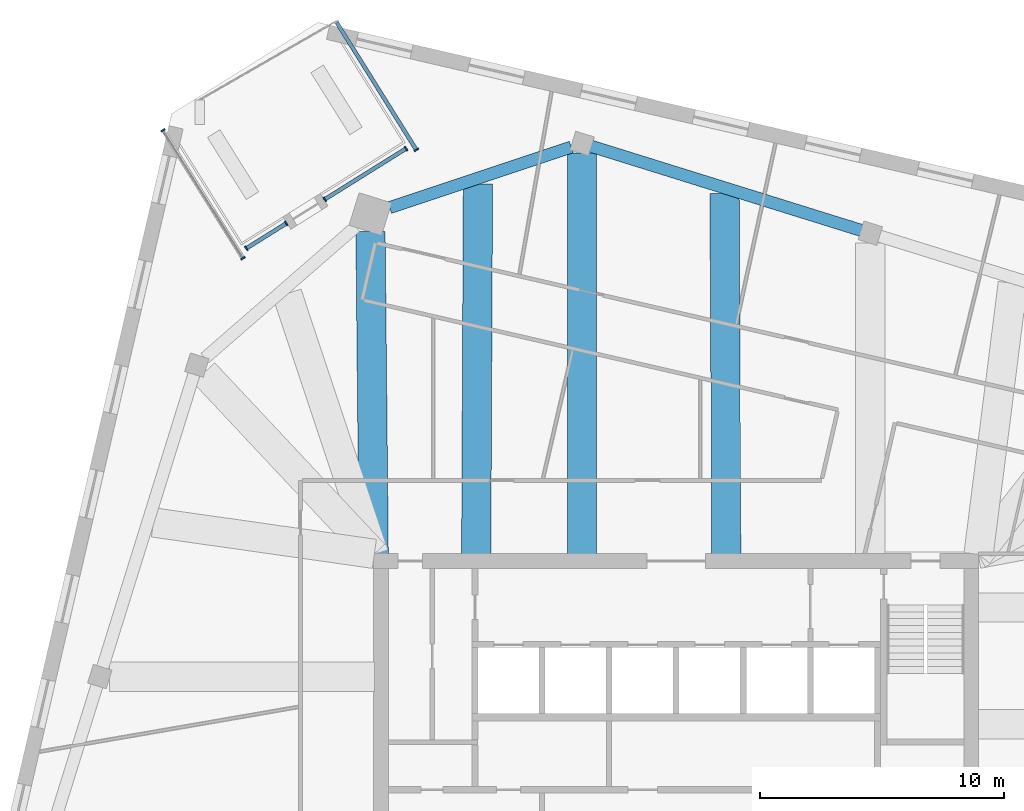
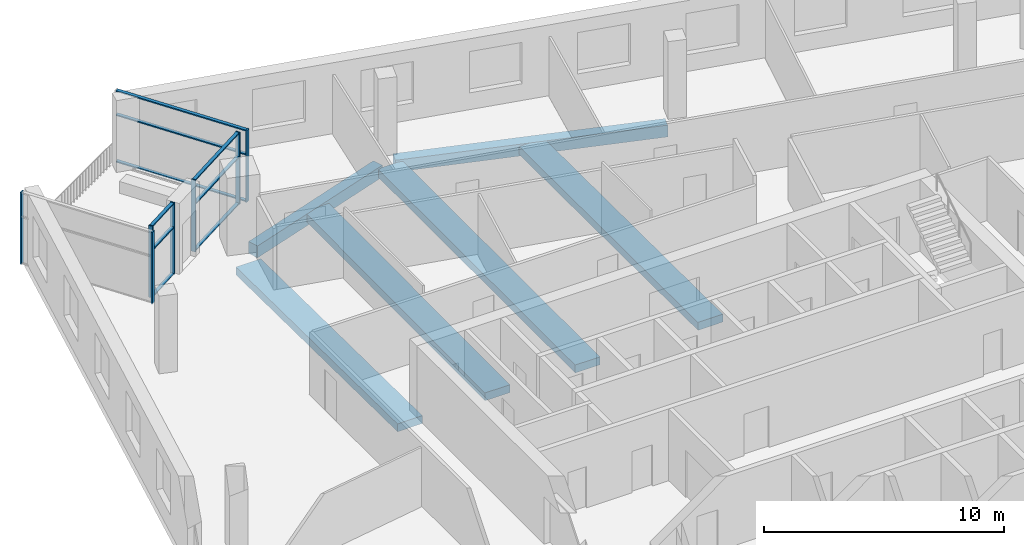
# One storey, part 2 of 14: 16 members, 6 beams, 4 elements without a shape of their own.
"""IFC4 building model written with IfcOpenShell, lengths in metres."""

from ifc_helpers import new_model, si_unit, direction, frame, origin, origin_2d, place, context, subcontext, project, spatial, rectangle, extrude, material, material_profile, profile_set, type_object, element, aggregate, save


model = new_model("IFC4")

# Units and contexts
model_context = context("Model", 3, precision=1e-05, world=origin(), true_north=direction((0.0, 1.0)))
body_context = subcontext(model_context, "Body", "Model", "MODEL_VIEW")
ifc_project = project(units=[si_unit("LENGTHUNIT", "METRE"), si_unit("AREAUNIT", "SQUARE_METRE"), si_unit("VOLUMEUNIT", "CUBIC_METRE"), si_unit("PLANEANGLEUNIT", "RADIAN"), si_unit("MASSUNIT", "GRAM", prefix="KILO")], contexts=[model_context])

# Site, building, storey
site_placement = place(None, origin())
site = spatial("IfcSite", under=ifc_project, at=site_placement, CompositionType="ELEMENT")
building_placement = place(site_placement, origin())
building = spatial("IfcBuilding", under=site, at=building_placement, Name="Dilmun Exchange Tower", CompositionType="ELEMENT")
storey_placement = place(building_placement, frame((0.0, 0.0, 332.5)))
storey = spatial("IfcBuildingStorey", under=building, at=storey_placement, Name="L79", CompositionType="ELEMENT", Elevation=332.5)

# Curtain wall, member
ifc_material_1 = material(Name="Anodised aluminium and clear glass", Category="aluminium")
curtain_wall_type = type_object("IfcCurtainWallType", Name="Garden corner glazing", PredefinedType="NOTDEFINED", material=ifc_material_1)
curtain_wall_1_placement = place(storey_placement, origin())
curtain_wall_1 = element("IfcCurtainWall", 1, at=curtain_wall_1_placement, inside=storey, type_object=curtain_wall_type, Name="Garden corner glazing run GC1.1", PredefinedType="NOTDEFINED")
ifc_material_2 = material(Name="Anodised aluminium", Category="aluminium")
ifc_material_profile_1 = material_profile(ifc_material_2, rectangle(XDim=0.199951171875, YDim=0.06005859375, at=origin_2d()), Name="AL 60x200")
ifc_profile_set_1 = profile_set([ifc_material_profile_1], Name="Anodised aluminium")
member_type_1 = type_object("IfcMemberType", Name="Garden corner glazing mullion 60 x 200", PredefinedType="MULLION", material=ifc_profile_set_1)
member_1_placement = place(storey_placement, frame((-10.65185546875, 28.95458984375, 0.0), z_axis=(0.0, 0.0, 1.0), x_axis=(0.8480495651, 0.529916913426, 0.0)))
member_1 = element("IfcMember", 2, at=member_1_placement, type_object=member_type_1, Name="GC1.1 mullion 2", PredefinedType="MULLION", context=body_context, shape_type="SweptSolid", body=[
    extrude(rectangle(XDim=0.199951171875, YDim=0.06005859375, at=origin_2d()), origin(), (0.0, 0.0, 1.0), 3.64990234375),
])

# Curtain wall, members
curtain_wall_2_placement = place(storey_placement, origin())
curtain_wall_2 = element("IfcCurtainWall", 3, at=curtain_wall_2_placement, inside=storey, type_object=curtain_wall_type, Name="Garden corner glazing run GC2.1", PredefinedType="NOTDEFINED")
member_2_placement = place(storey_placement, frame((-11.07470703125, 29.0087890625, 0.0), z_axis=(0.0, 0.0, 1.0), x_axis=(0.529924577258, -0.848044776187, 0.0)))
member_2 = element("IfcMember", 4, at=member_2_placement, type_object=member_type_1, Name="GC2.1 mullion 1", PredefinedType="MULLION", context=body_context, shape_type="SweptSolid", body=[
    extrude(rectangle(XDim=0.199951171875, YDim=0.06005859375, at=origin_2d()), origin(), (0.0, 0.0, 1.0), 3.64990234375),
])
member_3_placement = place(storey_placement, frame((-14.40673828125, 26.9267578125, 0.0), z_axis=(0.0, 0.0, 1.0), x_axis=(0.529924577258, -0.848044776187, 0.0)))
member_3 = element("IfcMember", 5, at=member_3_placement, type_object=member_type_1, Name="GC2.1 mullion 2", PredefinedType="MULLION", context=body_context, shape_type="SweptSolid", body=[
    extrude(rectangle(XDim=0.199951171875, YDim=0.06005859375, at=origin_2d()), origin(), (0.0, 0.0, 1.0), 3.64990234375),
])

curtain_wall_3_placement = place(storey_placement, origin())
curtain_wall_3 = element("IfcCurtainWall", 6, at=curtain_wall_3_placement, inside=storey, type_object=curtain_wall_type, Name="Garden corner glazing run GC2.3", PredefinedType="NOTDEFINED")
member_4_placement = place(storey_placement, frame((-15.984130859375, 25.94091796875, 0.0), z_axis=(0.0, 0.0, 1.0), x_axis=(0.529885960447, -0.848068905763, 0.0)))
member_4 = element("IfcMember", 7, at=member_4_placement, type_object=member_type_1, Name="GC2.3 mullion 1", PredefinedType="MULLION", context=body_context, shape_type="SweptSolid", body=[
    extrude(rectangle(XDim=0.199951171875, YDim=0.06005859375, at=origin_2d()), origin(), (0.0, 0.0, 1.0), 3.64990234375),
])
member_5_placement = place(storey_placement, frame((-17.6201171875, 24.918701171875, 0.0), z_axis=(0.0, 0.0, 1.0), x_axis=(0.529885960447, -0.848068905763, 0.0)))
member_5 = element("IfcMember", 8, at=member_5_placement, type_object=member_type_1, Name="GC2.3 mullion 2", PredefinedType="MULLION", context=body_context, shape_type="SweptSolid", body=[
    extrude(rectangle(XDim=0.199951171875, YDim=0.06005859375, at=origin_2d()), origin(), (0.0, 0.0, 1.0), 3.64990234375),
])

curtain_wall_4_placement = place(storey_placement, origin())
curtain_wall_4 = element("IfcCurtainWall", 9, at=curtain_wall_4_placement, inside=storey, type_object=curtain_wall_type, Name="Garden corner glazing run GC3.1", PredefinedType="NOTDEFINED")
member_6_placement = place(storey_placement, frame((-17.7568359375, 24.514892578125, 0.0), z_axis=(0.0, 0.0, 1.0), x_axis=(-0.8480495651, -0.529916913426, 0.0)))
member_6 = element("IfcMember", 10, at=member_6_placement, type_object=member_type_1, Name="GC3.1 mullion 1", PredefinedType="MULLION", context=body_context, shape_type="SweptSolid", body=[
    extrude(rectangle(XDim=0.199951171875, YDim=0.06005859375, at=origin_2d()), origin(), (0.0, 0.0, 1.0), 3.64990234375),
])
member_7_placement = place(storey_placement, frame((-21.03515625, 29.761474609375, 0.0), z_axis=(0.0, 0.0, 1.0), x_axis=(-0.8480495651, -0.529916913426, 0.0)))
member_7 = element("IfcMember", 11, at=member_7_placement, type_object=member_type_1, Name="GC3.1 mullion 2", PredefinedType="MULLION", context=body_context, shape_type="SweptSolid", body=[
    extrude(rectangle(XDim=0.199951171875, YDim=0.06005859375, at=origin_2d()), origin(), (0.0, 0.0, 1.0), 3.64990234375),
])
aggregate(curtain_wall_4, [member_6, member_7])

# Member
ifc_material_profile_2 = material_profile(ifc_material_2, rectangle(XDim=0.159912109375, YDim=0.06005859375, at=origin_2d()), Name="AL 60x160")
ifc_profile_set_2 = profile_set([ifc_material_profile_2], Name="Anodised aluminium")
member_type_2 = type_object("IfcMemberType", Name="Garden corner glazing transom 60 x 160", PredefinedType="USERDEFINED", material=ifc_profile_set_2)
member_8_placement = place(storey_placement, frame((-13.914306640625, 34.175537109375, 0.030029296875), z_axis=(0.529923715671, -0.848045314573, 0.0), x_axis=(0.848045314573, 0.529923715671, 0.0)))
member_8 = element("IfcMember", 12, at=member_8_placement, type_object=member_type_2, Name="GC1.1 transom 1.1", ObjectType="TRANSOM", PredefinedType="USERDEFINED", context=body_context, shape_type="SweptSolid", body=[
    extrude(rectangle(XDim=0.159912109375, YDim=0.06005859375, at=origin_2d()), origin(), (0.0, 0.0, 1.0), 6.12646484375),
])

member_9_placement = place(storey_placement, frame((-13.914306640625, 34.175537109375, 2.39990234375), z_axis=(0.529923715671, -0.848045314573, 0.0), x_axis=(0.848045314573, 0.529923715671, 0.0)))
member_9 = element("IfcMember", 13, at=member_9_placement, type_object=member_type_2, Name="GC1.1 transom 1.2", ObjectType="TRANSOM", PredefinedType="USERDEFINED", context=body_context, shape_type="SweptSolid", body=[
    extrude(rectangle(XDim=0.159912109375, YDim=0.06005859375, at=origin_2d()), origin(), (0.0, 0.0, 1.0), 6.12646484375),
])

member_10_placement = place(storey_placement, frame((-13.914306640625, 34.175537109375, 3.6201171875), z_axis=(0.529923715671, -0.848045314573, 0.0), x_axis=(0.848045314573, 0.529923715671, 0.0)))
member_10 = element("IfcMember", 14, at=member_10_placement, type_object=member_type_2, Name="GC1.1 transom 1.3", ObjectType="TRANSOM", PredefinedType="USERDEFINED", context=body_context, shape_type="SweptSolid", body=[
    extrude(rectangle(XDim=0.159912109375, YDim=0.06005859375, at=origin_2d()), origin(), (0.0, 0.0, 1.0), 6.12646484375),
])

aggregate(curtain_wall_1, [member_1, member_8, member_9, member_10])

member_11_placement = place(storey_placement, frame((-11.10009765625, 28.992919921875, 0.030029296875), z_axis=(-0.84805501765, -0.529908187368, 0.0), x_axis=(0.529908187368, -0.84805501765, 0.0)))
member_11 = element("IfcMember", 15, at=member_11_placement, type_object=member_type_2, Name="GC2.1 transom 1.1", ObjectType="TRANSOM", PredefinedType="USERDEFINED", context=body_context, shape_type="SweptSolid", body=[
    extrude(rectangle(XDim=0.159912109375, YDim=0.06005859375, at=origin_2d()), origin(), (0.0, 0.0, 1.0), 3.869140625),
])

member_12_placement = place(storey_placement, frame((-11.10009765625, 28.992919921875, 2.39990234375), z_axis=(-0.84805501765, -0.529908187368, 0.0), x_axis=(0.529908187368, -0.84805501765, 0.0)))
member_12 = element("IfcMember", 16, at=member_12_placement, type_object=member_type_2, Name="GC2.1 transom 1.2", ObjectType="TRANSOM", PredefinedType="USERDEFINED", context=body_context, shape_type="SweptSolid", body=[
    extrude(rectangle(XDim=0.159912109375, YDim=0.06005859375, at=origin_2d()), origin(), (0.0, 0.0, 1.0), 3.869140625),
])

member_13_placement = place(storey_placement, frame((-11.10009765625, 28.992919921875, 3.6201171875), z_axis=(-0.84805501765, -0.529908187368, 0.0), x_axis=(0.529908187368, -0.84805501765, 0.0)))
member_13 = element("IfcMember", 17, at=member_13_placement, type_object=member_type_2, Name="GC2.1 transom 1.3", ObjectType="TRANSOM", PredefinedType="USERDEFINED", context=body_context, shape_type="SweptSolid", body=[
    extrude(rectangle(XDim=0.159912109375, YDim=0.06005859375, at=origin_2d()), origin(), (0.0, 0.0, 1.0), 3.869140625),
])

aggregate(curtain_wall_2, [member_2, member_3, member_11, member_12, member_13])

member_14_placement = place(storey_placement, frame((-16.009521484375, 25.925048828125, 0.030029296875), z_axis=(-0.848123031037, -0.529799324486, 0.0), x_axis=(0.529799324486, -0.848123031037, 0.0)))
member_14 = element("IfcMember", 18, at=member_14_placement, type_object=member_type_2, Name="GC2.3 transom 1.1", ObjectType="TRANSOM", PredefinedType="USERDEFINED", context=body_context, shape_type="SweptSolid", body=[
    extrude(rectangle(XDim=0.159912109375, YDim=0.06005859375, at=origin_2d()), origin(), (0.0, 0.0, 1.0), 1.869140625),
])

member_15_placement = place(storey_placement, frame((-16.009521484375, 25.925048828125, 2.39990234375), z_axis=(-0.848123031037, -0.529799324486, 0.0), x_axis=(0.529799324486, -0.848123031037, 0.0)))
member_15 = element("IfcMember", 19, at=member_15_placement, type_object=member_type_2, Name="GC2.3 transom 1.2", ObjectType="TRANSOM", PredefinedType="USERDEFINED", context=body_context, shape_type="SweptSolid", body=[
    extrude(rectangle(XDim=0.159912109375, YDim=0.06005859375, at=origin_2d()), origin(), (0.0, 0.0, 1.0), 1.869140625),
])

member_16_placement = place(storey_placement, frame((-16.009521484375, 25.925048828125, 3.6201171875), z_axis=(-0.848123031037, -0.529799324486, 0.0), x_axis=(0.529799324486, -0.848123031037, 0.0)))
member_16 = element("IfcMember", 20, at=member_16_placement, type_object=member_type_2, Name="GC2.3 transom 1.3", ObjectType="TRANSOM", PredefinedType="USERDEFINED", context=body_context, shape_type="SweptSolid", body=[
    extrude(rectangle(XDim=0.159912109375, YDim=0.06005859375, at=origin_2d()), origin(), (0.0, 0.0, 1.0), 1.869140625),
])

aggregate(curtain_wall_3, [member_4, member_5, member_14, member_15, member_16])

# Beams
ifc_material_3 = material(Name="Concrete C40/50", Category="concrete")
ifc_material_profile_3 = material_profile(ifc_material_3, rectangle(XDim=1.199951171875, YDim=0.39990234375, at=origin_2d()), Name="1200 x 400")
ifc_profile_set_3 = profile_set([ifc_material_profile_3], Name="Concrete C40/50")
beam_type_1 = type_object("IfcBeamType", Name="RC band beam 1200 x 400 C40/50", PredefinedType="BEAM", material=ifc_profile_set_3)
beam_1_placement = place(storey_placement, frame((-12.530029296875, 25.613525390625, -0.64990234375), z_axis=(0.009845926203, -0.999951527694, 0.0), x_axis=(0.999951527694, 0.009845926203, 0.0)))
element("IfcBeam", 21, at=beam_1_placement, inside=storey, type_object=beam_type_1, Name="Band beam 1", PredefinedType="BEAM", context=body_context, shape_type="SweptSolid", body=[
    extrude(rectangle(XDim=1.199951171875, YDim=0.39990234375, at=origin_2d()), origin(), (0.0, 0.0, 1.0), 13.2412109375),
])
beam_2_placement = place(storey_placement, frame((-3.85595703125, 28.827880859375, -0.64990234375), z_axis=(0.0, -1.0, 0.0), x_axis=(1.0, 0.0, 0.0)))
element("IfcBeam", 22, at=beam_2_placement, inside=storey, type_object=beam_type_1, Name="Band beam 16", PredefinedType="BEAM", context=body_context, shape_type="SweptSolid", body=[
    extrude(rectangle(XDim=1.199951171875, YDim=0.39990234375, at=origin_2d()), origin(), (0.0, 0.0, 1.0), 16.454833984375),
])
beam_3_placement = place(storey_placement, frame((1.984619140625, 27.16650390625, -0.550048828125), z_axis=(0.004488848064, -0.999989925071, 0.0), x_axis=(0.999989925071, 0.004488848064, 0.0)))
element("IfcBeam", 23, at=beam_3_placement, inside=storey, type_object=beam_type_1, Name="Band beam 31", PredefinedType="BEAM", context=body_context, shape_type="SweptSolid", body=[
    extrude(rectangle(XDim=1.199951171875, YDim=0.39990234375, at=origin_2d()), origin(), (0.0, 0.0, 1.0), 14.793701171875),
])
beam_4_placement = place(storey_placement, frame((-8.1259765625, 27.5595703125, -0.550048828125), z_axis=(-0.00464595333, -0.999989207501, 0.0), x_axis=(0.999989207501, -0.00464595333, 0.0)))
element("IfcBeam", 24, at=beam_4_placement, inside=storey, type_object=beam_type_1, Name="Band beam 32", PredefinedType="BEAM", context=body_context, shape_type="SweptSolid", body=[
    extrude(rectangle(XDim=1.199951171875, YDim=0.39990234375, at=origin_2d()), origin(), (0.0, 0.0, 1.0), 15.186767578125),
])
ifc_material_profile_4 = material_profile(ifc_material_3, rectangle(XDim=0.5, YDim=0.60009765625, at=origin_2d()), Name="500 x 600")
ifc_profile_set_4 = profile_set([ifc_material_profile_4], Name="Concrete C40/50")
beam_type_2 = type_object("IfcBeamType", Name="RC ring beam 500 x 600 C40/50", PredefinedType="SPANDREL", material=ifc_profile_set_4)
beam_5_placement = place(storey_placement, frame((7.601806640625, 25.64990234375, -0.64990234375), z_axis=(-0.954732553331, 0.297465546931, 0.0), x_axis=(-0.297465546931, -0.954732553331, 0.0)))
element("IfcBeam", 25, at=beam_5_placement, inside=storey, type_object=beam_type_2, Name="Ring beam 15", PredefinedType="SPANDREL", context=body_context, shape_type="SweptSolid", body=[
    extrude(rectangle(XDim=0.5, YDim=0.60009765625, at=origin_2d()), origin(), (0.0, 0.0, 1.0), 11.628173828125),
])
beam_6_placement = place(storey_placement, frame((-4.298095703125, 29.072509765625, -0.64990234375), z_axis=(-0.94854014246, -0.316656909198, 0.0), x_axis=(0.316656909198, -0.94854014246, 0.0)))
element("IfcBeam", 26, at=beam_6_placement, inside=storey, type_object=beam_type_2, Name="Ring beam 16", PredefinedType="SPANDREL", context=body_context, shape_type="SweptSolid", body=[
    extrude(rectangle(XDim=0.5, YDim=0.60009765625, at=origin_2d()), origin(), (0.0, 0.0, 1.0), 7.850341796875),
])

save(model, "model.ifc")
